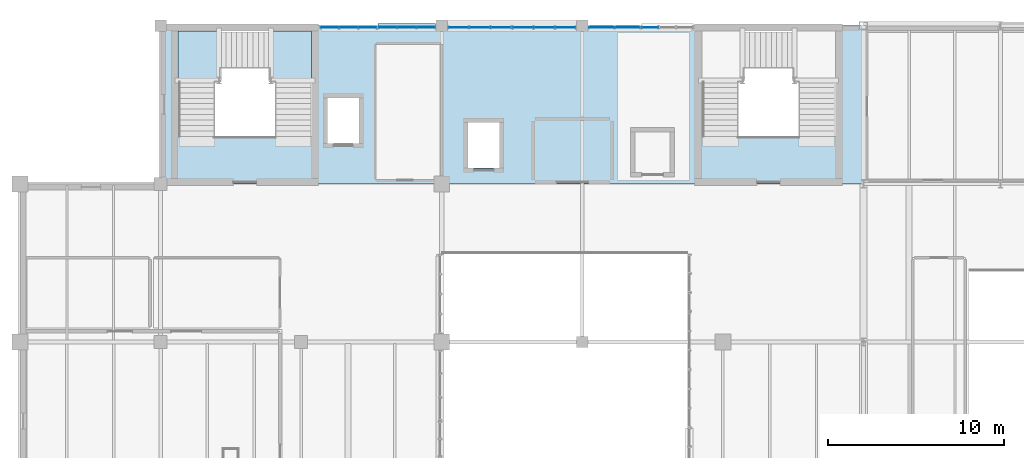
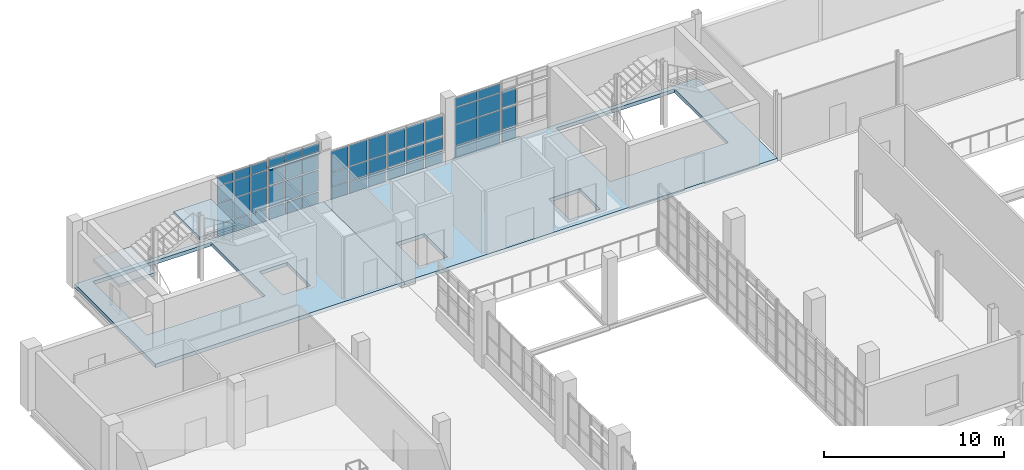
# One storey, part 59 of 85: 54 plates, 4 slabs, 7 elements without a shape of their own.
"""IFC4 building model written with IfcOpenShell, lengths in metres."""

from ifc_helpers import new_model, si_unit, derived_unit, direction, frame, origin, origin_2d, place, context, subcontext, project, spatial, polyline, rectangle, outline, extrude, material, layer, layer_set, type_object, element, aggregate, save


model = new_model("IFC4")

# Units and contexts
model_context = context("Model", 3, precision=1e-05, world=origin(), true_north=direction((0.0, 1.0)))
body_context = subcontext(model_context, "Body", "Model", "MODEL_VIEW")
ifc_project = project(units=[si_unit("LENGTHUNIT", "METRE"), si_unit("AREAUNIT", "SQUARE_METRE"), si_unit("VOLUMEUNIT", "CUBIC_METRE"), si_unit("PLANEANGLEUNIT", "RADIAN"), si_unit("MASSUNIT", "GRAM", prefix="KILO"), derived_unit("THERMALTRANSMITTANCEUNIT", [(si_unit("POWERUNIT", "WATT"), 1), (si_unit("LENGTHUNIT", "METRE"), -2), (si_unit("THERMODYNAMICTEMPERATUREUNIT", "KELVIN"), -1)])], contexts=[model_context])

# Site, building, storey
site_placement = place(None, origin())
site = spatial("IfcSite", under=ifc_project, at=site_placement, CompositionType="ELEMENT")
building_placement = place(site_placement, origin())
building = spatial("IfcBuilding", under=site, at=building_placement, Name="Nallur Shell Playhouse", CompositionType="ELEMENT")
storey_placement = place(building_placement, frame((0.0, 0.0, 19.800048828125)))
storey = spatial("IfcBuildingStorey", under=building, at=storey_placement, Name="L05", CompositionType="ELEMENT", Elevation=19.800048828125)

# Curtain wall, plates
ifc_material_1 = material(Name="Anodised Aluminium Double-Glazed Facade System", Category="aluminium")
ifc_layer_1 = layer(ifc_material_1, 0.1640625)
ifc_layer_set_1 = layer_set([ifc_layer_1], Name="Anodised Aluminium Double-Glazed Facade System")
curtain_wall_type_1 = type_object("IfcCurtainWallType", Name="CW-UNIT-01", PredefinedType="NOTDEFINED", material=ifc_layer_set_1)
curtain_wall_1_placement = place(storey_placement, origin())
curtain_wall_1 = element("IfcCurtainWall", 1, at=curtain_wall_1_placement, inside=storey, type_object=curtain_wall_type_1, Name="Unitised curtain wall CW-161 (L05)", PredefinedType="NOTDEFINED")
ifc_material_2 = material(Name="Solar-Control Low-E Laminated Insulating Glass", Category="glass")
ifc_layer_2 = layer(ifc_material_2, 0.02587890625)
ifc_layer_set_2 = layer_set([ifc_layer_2], Name="Solar-Control Low-E Laminated Insulating Glass")
plate_type_1 = type_object("IfcPlateType", Name="PT-GLZ-01", PredefinedType="CURTAIN_PANEL", material=ifc_layer_set_2)
plate_1_placement = place(storey_placement, frame((40.96337890625, 82.909912109375, 0.05712890625), z_axis=(0.0, 0.0, 1.0), x_axis=(1.0, 0.0, 0.0)))
plate_1 = element("IfcPlate", 2, at=plate_1_placement, type_object=plate_type_1, Name="CW-01 panel 1.1", PredefinedType="CURTAIN_PANEL", context=body_context, shape_type="SweptSolid", body=[
    extrude(rectangle(XDim=1.11669921875, YDim=0.02587890625, at=origin_2d()), origin(), (0.0, 0.0, 1.0), 0.818603515625),
])
plate_2_placement = place(storey_placement, frame((40.96337890625, 82.909912109375, 0.92431640625), z_axis=(0.0, 0.0, 1.0), x_axis=(1.0, 0.0, 0.0)))
plate_2 = element("IfcPlate", 3, at=plate_2_placement, type_object=plate_type_1, Name="CW-01 panel 1.2", PredefinedType="CURTAIN_PANEL", context=body_context, shape_type="SweptSolid", body=[
    extrude(rectangle(XDim=1.11669921875, YDim=0.02587890625, at=origin_2d()), origin(), (0.0, 0.0, 1.0), 0.93505859375),
])
plate_3_placement = place(storey_placement, frame((40.96337890625, 82.909912109375, 1.908447265625), z_axis=(0.0, 0.0, 1.0), x_axis=(1.0, 0.0, 0.0)))
plate_3 = element("IfcPlate", 4, at=plate_3_placement, type_object=plate_type_1, Name="CW-01 panel 1.3", PredefinedType="CURTAIN_PANEL", context=body_context, shape_type="SweptSolid", body=[
    extrude(rectangle(XDim=1.11669921875, YDim=0.02587890625, at=origin_2d()), origin(), (0.0, 0.0, 1.0), 1.3994140625),
])
plate_4_placement = place(storey_placement, frame((42.1640625, 82.909912109375, 0.05712890625), z_axis=(0.0, 0.0, 1.0), x_axis=(1.0, 0.0, 0.0)))
plate_4 = element("IfcPlate", 5, at=plate_4_placement, type_object=plate_type_1, Name="CW-01 panel 2.1", PredefinedType="CURTAIN_PANEL", context=body_context, shape_type="SweptSolid", body=[
    extrude(rectangle(XDim=1.15673828125, YDim=0.02587890625, at=origin_2d()), origin(), (0.0, 0.0, 1.0), 0.818603515625),
])
plate_5_placement = place(storey_placement, frame((42.1640625, 82.909912109375, 0.92431640625), z_axis=(0.0, 0.0, 1.0), x_axis=(1.0, 0.0, 0.0)))
plate_5 = element("IfcPlate", 6, at=plate_5_placement, type_object=plate_type_1, Name="CW-01 panel 2.2", PredefinedType="CURTAIN_PANEL", context=body_context, shape_type="SweptSolid", body=[
    extrude(rectangle(XDim=1.15673828125, YDim=0.02587890625, at=origin_2d()), origin(), (0.0, 0.0, 1.0), 0.93505859375),
])
plate_6_placement = place(storey_placement, frame((42.1640625, 82.909912109375, 1.908447265625), z_axis=(0.0, 0.0, 1.0), x_axis=(1.0, 0.0, 0.0)))
plate_6 = element("IfcPlate", 7, at=plate_6_placement, type_object=plate_type_1, Name="CW-01 panel 2.3", PredefinedType="CURTAIN_PANEL", context=body_context, shape_type="SweptSolid", body=[
    extrude(rectangle(XDim=1.15673828125, YDim=0.02587890625, at=origin_2d()), origin(), (0.0, 0.0, 1.0), 1.3994140625),
])
plate_7_placement = place(storey_placement, frame((43.36474609375, 82.909912109375, 0.05712890625), z_axis=(0.0, 0.0, 1.0), x_axis=(1.0, 0.0, 0.0)))
plate_7 = element("IfcPlate", 8, at=plate_7_placement, type_object=plate_type_1, Name="CW-01 panel 3.1", PredefinedType="CURTAIN_PANEL", context=body_context, shape_type="SweptSolid", body=[
    extrude(rectangle(XDim=1.11669921875, YDim=0.02587890625, at=origin_2d()), origin(), (0.0, 0.0, 1.0), 0.818603515625),
])
plate_8_placement = place(storey_placement, frame((43.36474609375, 82.909912109375, 0.92431640625), z_axis=(0.0, 0.0, 1.0), x_axis=(1.0, 0.0, 0.0)))
plate_8 = element("IfcPlate", 9, at=plate_8_placement, type_object=plate_type_1, Name="CW-01 panel 3.2", PredefinedType="CURTAIN_PANEL", context=body_context, shape_type="SweptSolid", body=[
    extrude(rectangle(XDim=1.11669921875, YDim=0.02587890625, at=origin_2d()), origin(), (0.0, 0.0, 1.0), 0.93505859375),
])
plate_9_placement = place(storey_placement, frame((43.36474609375, 82.909912109375, 1.908447265625), z_axis=(0.0, 0.0, 1.0), x_axis=(1.0, 0.0, 0.0)))
plate_9 = element("IfcPlate", 10, at=plate_9_placement, type_object=plate_type_1, Name="CW-01 panel 3.3", PredefinedType="CURTAIN_PANEL", context=body_context, shape_type="SweptSolid", body=[
    extrude(rectangle(XDim=1.11669921875, YDim=0.02587890625, at=origin_2d()), origin(), (0.0, 0.0, 1.0), 1.3994140625),
])
aggregate(curtain_wall_1, [plate_1, plate_2, plate_3, plate_4, plate_5, plate_6, plate_7, plate_8, plate_9])

ifc_layer_3 = layer(ifc_material_1, 0.16796875)
ifc_layer_set_3 = layer_set([ifc_layer_3], Name="Anodised Aluminium Double-Glazed Facade System")
curtain_wall_type_2 = type_object("IfcCurtainWallType", Name="CW-UNIT-02", PredefinedType="NOTDEFINED", material=ifc_layer_set_3)
curtain_wall_2_placement = place(storey_placement, origin())
curtain_wall_2 = element("IfcCurtainWall", 11, at=curtain_wall_2_placement, inside=storey, type_object=curtain_wall_type_2, Name="Unitised curtain wall CW-162 (L05)", PredefinedType="NOTDEFINED")
ifc_layer_4 = layer(ifc_material_2, 0.028076171875)
ifc_layer_set_4 = layer_set([ifc_layer_4], Name="Solar-Control Low-E Laminated Insulating Glass")
plate_type_2 = type_object("IfcPlateType", Name="PT-GLZ-02", PredefinedType="CURTAIN_PANEL", material=ifc_layer_set_4)
plate_10_placement = place(storey_placement, frame((44.634033203125, 82.909912109375, 0.091796875), z_axis=(0.0, 0.0, 1.0), x_axis=(1.0, 0.0, 0.0)))
plate_10 = element("IfcPlate", 12, at=plate_10_placement, type_object=plate_type_2, Name="CW-02 panel 1.1", PredefinedType="CURTAIN_PANEL", context=body_context, shape_type="SweptSolid", body=[
    extrude(rectangle(XDim=1.124267578125, YDim=0.028076171875, at=origin_2d()), origin(), (0.0, 0.0, 1.0), 0.76611328125),
])
plate_11_placement = place(storey_placement, frame((44.634033203125, 82.909912109375, 0.94189453125), z_axis=(0.0, 0.0, 1.0), x_axis=(1.0, 0.0, 0.0)))
plate_11 = element("IfcPlate", 13, at=plate_11_placement, type_object=plate_type_2, Name="CW-02 panel 1.2", PredefinedType="CURTAIN_PANEL", context=body_context, shape_type="SweptSolid", body=[
    extrude(rectangle(XDim=1.124267578125, YDim=0.028076171875, at=origin_2d()), origin(), (0.0, 0.0, 1.0), 0.888916015625),
])
plate_12_placement = place(storey_placement, frame((44.634033203125, 82.909912109375, 1.9150390625), z_axis=(0.0, 0.0, 1.0), x_axis=(1.0, 0.0, 0.0)))
plate_12 = element("IfcPlate", 14, at=plate_12_placement, type_object=plate_type_2, Name="CW-02 panel 1.3", PredefinedType="CURTAIN_PANEL", context=body_context, shape_type="SweptSolid", body=[
    extrude(rectangle(XDim=1.124267578125, YDim=0.028076171875, at=origin_2d()), origin(), (0.0, 0.0, 1.0), 1.337890625),
])
plate_13_placement = place(storey_placement, frame((45.8359375, 82.909912109375, 0.091796875), z_axis=(0.0, 0.0, 1.0), x_axis=(1.0, 0.0, 0.0)))
plate_13 = element("IfcPlate", 15, at=plate_13_placement, type_object=plate_type_2, Name="CW-02 panel 2.1", PredefinedType="CURTAIN_PANEL", context=body_context, shape_type="SweptSolid", body=[
    extrude(rectangle(XDim=1.16162109375, YDim=0.028076171875, at=origin_2d()), origin(), (0.0, 0.0, 1.0), 0.76611328125),
])
plate_14_placement = place(storey_placement, frame((45.8359375, 82.909912109375, 0.94189453125), z_axis=(0.0, 0.0, 1.0), x_axis=(1.0, 0.0, 0.0)))
plate_14 = element("IfcPlate", 16, at=plate_14_placement, type_object=plate_type_2, Name="CW-02 panel 2.2", PredefinedType="CURTAIN_PANEL", context=body_context, shape_type="SweptSolid", body=[
    extrude(rectangle(XDim=1.16162109375, YDim=0.028076171875, at=origin_2d()), origin(), (0.0, 0.0, 1.0), 0.888916015625),
])
plate_15_placement = place(storey_placement, frame((45.8359375, 82.909912109375, 1.9150390625), z_axis=(0.0, 0.0, 1.0), x_axis=(1.0, 0.0, 0.0)))
plate_15 = element("IfcPlate", 17, at=plate_15_placement, type_object=plate_type_2, Name="CW-02 panel 2.3", PredefinedType="CURTAIN_PANEL", context=body_context, shape_type="SweptSolid", body=[
    extrude(rectangle(XDim=1.16162109375, YDim=0.028076171875, at=origin_2d()), origin(), (0.0, 0.0, 1.0), 1.337890625),
])
plate_16_placement = place(storey_placement, frame((47.037841796875, 82.909912109375, 0.091796875), z_axis=(0.0, 0.0, 1.0), x_axis=(1.0, 0.0, 0.0)))
plate_16 = element("IfcPlate", 18, at=plate_16_placement, type_object=plate_type_2, Name="CW-02 panel 3.1", PredefinedType="CURTAIN_PANEL", context=body_context, shape_type="SweptSolid", body=[
    extrude(rectangle(XDim=1.124267578125, YDim=0.028076171875, at=origin_2d()), origin(), (0.0, 0.0, 1.0), 0.76611328125),
])
plate_17_placement = place(storey_placement, frame((47.037841796875, 82.909912109375, 0.94189453125), z_axis=(0.0, 0.0, 1.0), x_axis=(1.0, 0.0, 0.0)))
plate_17 = element("IfcPlate", 19, at=plate_17_placement, type_object=plate_type_2, Name="CW-02 panel 3.2", PredefinedType="CURTAIN_PANEL", context=body_context, shape_type="SweptSolid", body=[
    extrude(rectangle(XDim=1.124267578125, YDim=0.028076171875, at=origin_2d()), origin(), (0.0, 0.0, 1.0), 0.888916015625),
])
plate_18_placement = place(storey_placement, frame((47.037841796875, 82.909912109375, 1.9150390625), z_axis=(0.0, 0.0, 1.0), x_axis=(1.0, 0.0, 0.0)))
plate_18 = element("IfcPlate", 20, at=plate_18_placement, type_object=plate_type_2, Name="CW-02 panel 3.3", PredefinedType="CURTAIN_PANEL", context=body_context, shape_type="SweptSolid", body=[
    extrude(rectangle(XDim=1.124267578125, YDim=0.028076171875, at=origin_2d()), origin(), (0.0, 0.0, 1.0), 1.337890625),
])
aggregate(curtain_wall_2, [plate_10, plate_11, plate_12, plate_13, plate_14, plate_15, plate_16, plate_17, plate_18])

ifc_layer_5 = layer(ifc_material_1, 0.172119140625)
ifc_layer_set_5 = layer_set([ifc_layer_5], Name="Anodised Aluminium Double-Glazed Facade System")
curtain_wall_type_3 = type_object("IfcCurtainWallType", Name="CW-UNIT-03", PredefinedType="NOTDEFINED", material=ifc_layer_set_5)
curtain_wall_3_placement = place(storey_placement, origin())
curtain_wall_3 = element("IfcCurtainWall", 21, at=curtain_wall_3_placement, inside=storey, type_object=curtain_wall_type_3, Name="Unitised curtain wall CW-163 (L05)", PredefinedType="NOTDEFINED")
ifc_layer_6 = layer(ifc_material_2, 0.030029296875)
ifc_layer_set_6 = layer_set([ifc_layer_6], Name="Solar-Control Low-E Laminated Insulating Glass")
plate_type_3 = type_object("IfcPlateType", Name="PT-GLZ-03", PredefinedType="CURTAIN_PANEL", material=ifc_layer_set_6)
plate_19_placement = place(storey_placement, frame((49.10009765625, 82.909912109375, 0.05712890625), z_axis=(0.0, 0.0, 1.0), x_axis=(1.0, 0.0, 0.0)))
plate_19 = element("IfcPlate", 22, at=plate_19_placement, type_object=plate_type_3, Name="CW-03 panel 1.1", PredefinedType="CURTAIN_PANEL", context=body_context, shape_type="SweptSolid", body=[
    extrude(rectangle(XDim=1.420166015625, YDim=0.030029296875, at=origin_2d()), origin(), (0.0, 0.0, 1.0), 0.818603515625),
])
plate_20_placement = place(storey_placement, frame((49.10009765625, 82.909912109375, 0.924560546875), z_axis=(0.0, 0.0, 1.0), x_axis=(1.0, 0.0, 0.0)))
plate_20 = element("IfcPlate", 23, at=plate_20_placement, type_object=plate_type_3, Name="CW-03 panel 1.2", PredefinedType="CURTAIN_PANEL", context=body_context, shape_type="SweptSolid", body=[
    extrude(rectangle(XDim=1.420166015625, YDim=0.030029296875, at=origin_2d()), origin(), (0.0, 0.0, 1.0), 1.39697265625),
])
plate_21_placement = place(storey_placement, frame((49.10009765625, 82.909912109375, 2.37060546875), z_axis=(0.0, 0.0, 1.0), x_axis=(1.0, 0.0, 0.0)))
plate_21 = element("IfcPlate", 24, at=plate_21_placement, type_object=plate_type_3, Name="CW-03 panel 1.3", PredefinedType="CURTAIN_PANEL", context=body_context, shape_type="SweptSolid", body=[
    extrude(rectangle(XDim=1.420166015625, YDim=0.030029296875, at=origin_2d()), origin(), (0.0, 0.0, 1.0), 1.114990234375),
])
plate_22_placement = place(storey_placement, frame((49.10009765625, 82.909912109375, 3.53466796875), z_axis=(0.0, 0.0, 1.0), x_axis=(1.0, 0.0, 0.0)))
plate_22 = element("IfcPlate", 25, at=plate_22_placement, type_object=plate_type_3, Name="CW-03 panel 1.4", PredefinedType="CURTAIN_PANEL", context=body_context, shape_type="SweptSolid", body=[
    extrude(rectangle(XDim=1.420166015625, YDim=0.030029296875, at=origin_2d()), origin(), (0.0, 0.0, 1.0), 0.598388671875),
])
plate_23_placement = place(storey_placement, frame((50.5693359375, 82.909912109375, 0.05712890625), z_axis=(0.0, 0.0, 1.0), x_axis=(1.0, 0.0, 0.0)))
plate_23 = element("IfcPlate", 26, at=plate_23_placement, type_object=plate_type_3, Name="CW-03 panel 2.1", PredefinedType="CURTAIN_PANEL", context=body_context, shape_type="SweptSolid", body=[
    extrude(rectangle(XDim=1.420166015625, YDim=0.030029296875, at=origin_2d()), origin(), (0.0, 0.0, 1.0), 0.818603515625),
])
plate_24_placement = place(storey_placement, frame((50.5693359375, 82.909912109375, 0.924560546875), z_axis=(0.0, 0.0, 1.0), x_axis=(1.0, 0.0, 0.0)))
plate_24 = element("IfcPlate", 27, at=plate_24_placement, type_object=plate_type_3, Name="CW-03 panel 2.2", PredefinedType="CURTAIN_PANEL", context=body_context, shape_type="SweptSolid", body=[
    extrude(rectangle(XDim=1.420166015625, YDim=0.030029296875, at=origin_2d()), origin(), (0.0, 0.0, 1.0), 1.39697265625),
])
plate_25_placement = place(storey_placement, frame((50.5693359375, 82.909912109375, 2.37060546875), z_axis=(0.0, 0.0, 1.0), x_axis=(1.0, 0.0, 0.0)))
plate_25 = element("IfcPlate", 28, at=plate_25_placement, type_object=plate_type_3, Name="CW-03 panel 2.3", PredefinedType="CURTAIN_PANEL", context=body_context, shape_type="SweptSolid", body=[
    extrude(rectangle(XDim=1.420166015625, YDim=0.030029296875, at=origin_2d()), origin(), (0.0, 0.0, 1.0), 1.114990234375),
])
plate_26_placement = place(storey_placement, frame((50.5693359375, 82.909912109375, 3.53466796875), z_axis=(0.0, 0.0, 1.0), x_axis=(1.0, 0.0, 0.0)))
plate_26 = element("IfcPlate", 29, at=plate_26_placement, type_object=plate_type_3, Name="CW-03 panel 2.4", PredefinedType="CURTAIN_PANEL", context=body_context, shape_type="SweptSolid", body=[
    extrude(rectangle(XDim=1.420166015625, YDim=0.030029296875, at=origin_2d()), origin(), (0.0, 0.0, 1.0), 0.598388671875),
])
aggregate(curtain_wall_3, [plate_19, plate_20, plate_21, plate_22, plate_23, plate_24, plate_25, plate_26])

ifc_layer_7 = layer(ifc_material_1, 0.176025390625)
ifc_layer_set_7 = layer_set([ifc_layer_7], Name="Anodised Aluminium Double-Glazed Facade System")
curtain_wall_type_4 = type_object("IfcCurtainWallType", Name="CW-UNIT-04", PredefinedType="NOTDEFINED", material=ifc_layer_set_7)
curtain_wall_4_placement = place(storey_placement, origin())
curtain_wall_4 = element("IfcCurtainWall", 30, at=curtain_wall_4_placement, inside=storey, type_object=curtain_wall_type_4, Name="Unitised curtain wall CW-164 (L05)", PredefinedType="NOTDEFINED")
ifc_layer_8 = layer(ifc_material_2, 0.031982421875)
ifc_layer_set_8 = layer_set([ifc_layer_8], Name="Solar-Control Low-E Laminated Insulating Glass")
plate_type_4 = type_object("IfcPlateType", Name="PT-GLZ-04", PredefinedType="CURTAIN_PANEL", material=ifc_layer_set_8)
plate_27_placement = place(storey_placement, frame((51.8671875, 82.909912109375, 0.091796875), z_axis=(0.0, 0.0, 1.0), x_axis=(1.0, 0.0, 0.0)))
plate_27 = element("IfcPlate", 31, at=plate_27_placement, type_object=plate_type_4, Name="CW-04 panel 1.1", PredefinedType="CURTAIN_PANEL", context=body_context, shape_type="SweptSolid", body=[
    extrude(rectangle(XDim=0.897216796875, YDim=0.031982421875, at=origin_2d()), origin(), (0.0, 0.0, 1.0), 0.76611328125),
])
plate_28_placement = place(storey_placement, frame((51.8671875, 82.909912109375, 0.94189453125), z_axis=(0.0, 0.0, 1.0), x_axis=(1.0, 0.0, 0.0)))
plate_28 = element("IfcPlate", 32, at=plate_28_placement, type_object=plate_type_4, Name="CW-04 panel 1.2", PredefinedType="CURTAIN_PANEL", context=body_context, shape_type="SweptSolid", body=[
    extrude(rectangle(XDim=0.897216796875, YDim=0.031982421875, at=origin_2d()), origin(), (0.0, 0.0, 1.0), 1.39599609375),
])
plate_29_placement = place(storey_placement, frame((51.8671875, 82.909912109375, 2.421875), z_axis=(0.0, 0.0, 1.0), x_axis=(1.0, 0.0, 0.0)))
plate_29 = element("IfcPlate", 33, at=plate_29_placement, type_object=plate_type_4, Name="CW-04 panel 1.3", PredefinedType="CURTAIN_PANEL", context=body_context, shape_type="SweptSolid", body=[
    extrude(rectangle(XDim=0.897216796875, YDim=0.031982421875, at=origin_2d()), origin(), (0.0, 0.0, 1.0), 1.10595703125),
])
aggregate(curtain_wall_4, [plate_27, plate_28, plate_29])

ifc_layer_9 = layer(ifc_material_1, 0.1640625)
ifc_layer_set_9 = layer_set([ifc_layer_9], Name="Anodised Aluminium Double-Glazed Facade System")
curtain_wall_type_5 = type_object("IfcCurtainWallType", Name="CW-UNIT-31", PredefinedType="NOTDEFINED", material=ifc_layer_set_9)
curtain_wall_5_placement = place(storey_placement, origin())
curtain_wall_5 = element("IfcCurtainWall", 34, at=curtain_wall_5_placement, inside=storey, type_object=curtain_wall_type_5, Name="Unitised curtain wall CW-159 (L05)", PredefinedType="NOTDEFINED")
ifc_layer_10 = layer(ifc_material_2, 0.0380859375)
ifc_layer_set_10 = layer_set([ifc_layer_10], Name="Solar-Control Low-E Laminated Insulating Glass")
plate_type_5 = type_object("IfcPlateType", Name="PT-GLZ-07", PredefinedType="CURTAIN_PANEL", material=ifc_layer_set_10)
plate_30_placement = place(storey_placement, frame((33.619384765625, 82.909912109375, 0.05712890625), z_axis=(0.0, 0.0, 1.0), x_axis=(1.0, 0.0, 0.0)))
plate_30 = element("IfcPlate", 35, at=plate_30_placement, type_object=plate_type_5, Name="CW-31 panel 1.1", PredefinedType="CURTAIN_PANEL", context=body_context, shape_type="SweptSolid", body=[
    extrude(rectangle(XDim=1.004638671875, YDim=0.0380859375, at=origin_2d()), origin(), (0.0, 0.0, 1.0), 0.818603515625),
])
plate_31_placement = place(storey_placement, frame((33.619384765625, 82.909912109375, 0.924560546875), z_axis=(0.0, 0.0, 1.0), x_axis=(1.0, 0.0, 0.0)))
plate_31 = element("IfcPlate", 36, at=plate_31_placement, type_object=plate_type_5, Name="CW-31 panel 1.2", PredefinedType="CURTAIN_PANEL", context=body_context, shape_type="SweptSolid", body=[
    extrude(rectangle(XDim=1.004638671875, YDim=0.0380859375, at=origin_2d()), origin(), (0.0, 0.0, 1.0), 1.39697265625),
])
plate_32_placement = place(storey_placement, frame((33.619384765625, 82.909912109375, 2.37060546875), z_axis=(0.0, 0.0, 1.0), x_axis=(1.0, 0.0, 0.0)))
plate_32 = element("IfcPlate", 37, at=plate_32_placement, type_object=plate_type_5, Name="CW-31 panel 1.3", PredefinedType="CURTAIN_PANEL", context=body_context, shape_type="SweptSolid", body=[
    extrude(rectangle(XDim=1.004638671875, YDim=0.0380859375, at=origin_2d()), origin(), (0.0, 0.0, 1.0), 1.114990234375),
])
plate_33_placement = place(storey_placement, frame((33.619384765625, 82.909912109375, 3.53466796875), z_axis=(0.0, 0.0, 1.0), x_axis=(1.0, 0.0, 0.0)))
plate_33 = element("IfcPlate", 38, at=plate_33_placement, type_object=plate_type_5, Name="CW-31 panel 1.4", PredefinedType="CURTAIN_PANEL", context=body_context, shape_type="SweptSolid", body=[
    extrude(rectangle(XDim=1.004638671875, YDim=0.0380859375, at=origin_2d()), origin(), (0.0, 0.0, 1.0), 0.598388671875),
])
plate_34_placement = place(storey_placement, frame((34.70166015625, 82.909912109375, 0.05712890625), z_axis=(0.0, 0.0, 1.0), x_axis=(1.0, 0.0, 0.0)))
plate_34 = element("IfcPlate", 39, at=plate_34_placement, type_object=plate_type_5, Name="CW-31 panel 2.1", PredefinedType="CURTAIN_PANEL", context=body_context, shape_type="SweptSolid", body=[
    extrude(rectangle(XDim=1.042236328125, YDim=0.0380859375, at=origin_2d()), origin(), (0.0, 0.0, 1.0), 0.818603515625),
])
plate_35_placement = place(storey_placement, frame((34.70166015625, 82.909912109375, 0.924560546875), z_axis=(0.0, 0.0, 1.0), x_axis=(1.0, 0.0, 0.0)))
plate_35 = element("IfcPlate", 40, at=plate_35_placement, type_object=plate_type_5, Name="CW-31 panel 2.2", PredefinedType="CURTAIN_PANEL", context=body_context, shape_type="SweptSolid", body=[
    extrude(rectangle(XDim=1.042236328125, YDim=0.0380859375, at=origin_2d()), origin(), (0.0, 0.0, 1.0), 1.39697265625),
])
plate_36_placement = place(storey_placement, frame((34.70166015625, 82.909912109375, 2.37060546875), z_axis=(0.0, 0.0, 1.0), x_axis=(1.0, 0.0, 0.0)))
plate_36 = element("IfcPlate", 41, at=plate_36_placement, type_object=plate_type_5, Name="CW-31 panel 2.3", PredefinedType="CURTAIN_PANEL", context=body_context, shape_type="SweptSolid", body=[
    extrude(rectangle(XDim=1.042236328125, YDim=0.0380859375, at=origin_2d()), origin(), (0.0, 0.0, 1.0), 1.114990234375),
])
plate_37_placement = place(storey_placement, frame((34.70166015625, 82.909912109375, 3.53466796875), z_axis=(0.0, 0.0, 1.0), x_axis=(1.0, 0.0, 0.0)))
plate_37 = element("IfcPlate", 42, at=plate_37_placement, type_object=plate_type_5, Name="CW-31 panel 2.4", PredefinedType="CURTAIN_PANEL", context=body_context, shape_type="SweptSolid", body=[
    extrude(rectangle(XDim=1.042236328125, YDim=0.0380859375, at=origin_2d()), origin(), (0.0, 0.0, 1.0), 0.598388671875),
])
plate_38_placement = place(storey_placement, frame((35.7841796875, 82.909912109375, 0.05712890625), z_axis=(0.0, 0.0, 1.0), x_axis=(1.0, 0.0, 0.0)))
plate_38 = element("IfcPlate", 43, at=plate_38_placement, type_object=plate_type_5, Name="CW-31 panel 3.1", PredefinedType="CURTAIN_PANEL", context=body_context, shape_type="SweptSolid", body=[
    extrude(rectangle(XDim=1.004638671875, YDim=0.0380859375, at=origin_2d()), origin(), (0.0, 0.0, 1.0), 0.818603515625),
])
plate_39_placement = place(storey_placement, frame((35.7841796875, 82.909912109375, 0.924560546875), z_axis=(0.0, 0.0, 1.0), x_axis=(1.0, 0.0, 0.0)))
plate_39 = element("IfcPlate", 44, at=plate_39_placement, type_object=plate_type_5, Name="CW-31 panel 3.2", PredefinedType="CURTAIN_PANEL", context=body_context, shape_type="SweptSolid", body=[
    extrude(rectangle(XDim=1.004638671875, YDim=0.0380859375, at=origin_2d()), origin(), (0.0, 0.0, 1.0), 1.39697265625),
])
plate_40_placement = place(storey_placement, frame((35.7841796875, 82.909912109375, 2.37060546875), z_axis=(0.0, 0.0, 1.0), x_axis=(1.0, 0.0, 0.0)))
plate_40 = element("IfcPlate", 45, at=plate_40_placement, type_object=plate_type_5, Name="CW-31 panel 3.3", PredefinedType="CURTAIN_PANEL", context=body_context, shape_type="SweptSolid", body=[
    extrude(rectangle(XDim=1.004638671875, YDim=0.0380859375, at=origin_2d()), origin(), (0.0, 0.0, 1.0), 1.114990234375),
])
plate_41_placement = place(storey_placement, frame((35.7841796875, 82.909912109375, 3.53466796875), z_axis=(0.0, 0.0, 1.0), x_axis=(1.0, 0.0, 0.0)))
plate_41 = element("IfcPlate", 46, at=plate_41_placement, type_object=plate_type_5, Name="CW-31 panel 3.4", PredefinedType="CURTAIN_PANEL", context=body_context, shape_type="SweptSolid", body=[
    extrude(rectangle(XDim=1.004638671875, YDim=0.0380859375, at=origin_2d()), origin(), (0.0, 0.0, 1.0), 0.598388671875),
])
aggregate(curtain_wall_5, [plate_30, plate_31, plate_32, plate_33, plate_34, plate_35, plate_36, plate_37, plate_38, plate_39, plate_40, plate_41])

ifc_layer_11 = layer(ifc_material_1, 0.16796875)
ifc_layer_set_11 = layer_set([ifc_layer_11], Name="Anodised Aluminium Double-Glazed Facade System")
curtain_wall_type_6 = type_object("IfcCurtainWallType", Name="CW-UNIT-32", PredefinedType="NOTDEFINED", material=ifc_layer_set_11)
curtain_wall_6_placement = place(storey_placement, origin())
curtain_wall_6 = element("IfcCurtainWall", 47, at=curtain_wall_6_placement, inside=storey, type_object=curtain_wall_type_6, Name="Unitised curtain wall CW-160 (L05)", PredefinedType="NOTDEFINED")
ifc_layer_12 = layer(ifc_material_2, 0.0400390625)
ifc_layer_set_12 = layer_set([ifc_layer_12], Name="Solar-Control Low-E Laminated Insulating Glass")
plate_type_6 = type_object("IfcPlateType", Name="PT-GLZ-08", PredefinedType="CURTAIN_PANEL", material=ifc_layer_set_12)
plate_42_placement = place(storey_placement, frame((36.930419921875, 82.909912109375, 0.091796875), z_axis=(0.0, 0.0, 1.0), x_axis=(1.0, 0.0, 0.0)))
plate_42 = element("IfcPlate", 48, at=plate_42_placement, type_object=plate_type_6, Name="CW-32 panel 1.1", PredefinedType="CURTAIN_PANEL", context=body_context, shape_type="SweptSolid", body=[
    extrude(rectangle(XDim=1.019775390625, YDim=0.0400390625, at=origin_2d()), origin(), (0.0, 0.0, 1.0), 0.76611328125),
])
plate_43_placement = place(storey_placement, frame((36.930419921875, 82.909912109375, 0.94189453125), z_axis=(0.0, 0.0, 1.0), x_axis=(1.0, 0.0, 0.0)))
plate_43 = element("IfcPlate", 49, at=plate_43_placement, type_object=plate_type_6, Name="CW-32 panel 1.2", PredefinedType="CURTAIN_PANEL", context=body_context, shape_type="SweptSolid", body=[
    extrude(rectangle(XDim=1.019775390625, YDim=0.0400390625, at=origin_2d()), origin(), (0.0, 0.0, 1.0), 1.39599609375),
])
plate_44_placement = place(storey_placement, frame((36.930419921875, 82.909912109375, 2.421875), z_axis=(0.0, 0.0, 1.0), x_axis=(1.0, 0.0, 0.0)))
plate_44 = element("IfcPlate", 50, at=plate_44_placement, type_object=plate_type_6, Name="CW-32 panel 1.3", PredefinedType="CURTAIN_PANEL", context=body_context, shape_type="SweptSolid", body=[
    extrude(rectangle(XDim=1.019775390625, YDim=0.0400390625, at=origin_2d()), origin(), (0.0, 0.0, 1.0), 1.10595703125),
])
plate_45_placement = place(storey_placement, frame((36.930419921875, 82.909912109375, 3.612060546875), z_axis=(0.0, 0.0, 1.0), x_axis=(1.0, 0.0, 0.0)))
plate_45 = element("IfcPlate", 51, at=plate_45_placement, type_object=plate_type_6, Name="CW-32 panel 1.4", PredefinedType="CURTAIN_PANEL", context=body_context, shape_type="SweptSolid", body=[
    extrude(rectangle(XDim=1.019775390625, YDim=0.0400390625, at=origin_2d()), origin(), (0.0, 0.0, 1.0), 0.5458984375),
])
plate_46_placement = place(storey_placement, frame((38.01513671875, 82.909912109375, 0.091796875), z_axis=(0.0, 0.0, 1.0), x_axis=(1.0, 0.0, 0.0)))
plate_46 = element("IfcPlate", 52, at=plate_46_placement, type_object=plate_type_6, Name="CW-32 panel 2.1", PredefinedType="CURTAIN_PANEL", context=body_context, shape_type="SweptSolid", body=[
    extrude(rectangle(XDim=1.05224609375, YDim=0.0400390625, at=origin_2d()), origin(), (0.0, 0.0, 1.0), 0.76611328125),
])
plate_47_placement = place(storey_placement, frame((38.01513671875, 82.909912109375, 0.94189453125), z_axis=(0.0, 0.0, 1.0), x_axis=(1.0, 0.0, 0.0)))
plate_47 = element("IfcPlate", 53, at=plate_47_placement, type_object=plate_type_6, Name="CW-32 panel 2.2", PredefinedType="CURTAIN_PANEL", context=body_context, shape_type="SweptSolid", body=[
    extrude(rectangle(XDim=1.05224609375, YDim=0.0400390625, at=origin_2d()), origin(), (0.0, 0.0, 1.0), 1.39599609375),
])
plate_48_placement = place(storey_placement, frame((38.01513671875, 82.909912109375, 2.421875), z_axis=(0.0, 0.0, 1.0), x_axis=(1.0, 0.0, 0.0)))
plate_48 = element("IfcPlate", 54, at=plate_48_placement, type_object=plate_type_6, Name="CW-32 panel 2.3", PredefinedType="CURTAIN_PANEL", context=body_context, shape_type="SweptSolid", body=[
    extrude(rectangle(XDim=1.05224609375, YDim=0.0400390625, at=origin_2d()), origin(), (0.0, 0.0, 1.0), 1.10595703125),
])
plate_49_placement = place(storey_placement, frame((38.01513671875, 82.909912109375, 3.612060546875), z_axis=(0.0, 0.0, 1.0), x_axis=(1.0, 0.0, 0.0)))
plate_49 = element("IfcPlate", 55, at=plate_49_placement, type_object=plate_type_6, Name="CW-32 panel 2.4", PredefinedType="CURTAIN_PANEL", context=body_context, shape_type="SweptSolid", body=[
    extrude(rectangle(XDim=1.05224609375, YDim=0.0400390625, at=origin_2d()), origin(), (0.0, 0.0, 1.0), 0.5458984375),
])
plate_50_placement = place(storey_placement, frame((39.10009765625, 82.909912109375, 0.091796875), z_axis=(0.0, 0.0, 1.0), x_axis=(1.0, 0.0, 0.0)))
plate_50 = element("IfcPlate", 56, at=plate_50_placement, type_object=plate_type_6, Name="CW-32 panel 3.1", PredefinedType="CURTAIN_PANEL", context=body_context, shape_type="SweptSolid", body=[
    extrude(rectangle(XDim=1.019775390625, YDim=0.0400390625, at=origin_2d()), origin(), (0.0, 0.0, 1.0), 0.76611328125),
])
plate_51_placement = place(storey_placement, frame((39.10009765625, 82.909912109375, 0.94189453125), z_axis=(0.0, 0.0, 1.0), x_axis=(1.0, 0.0, 0.0)))
plate_51 = element("IfcPlate", 57, at=plate_51_placement, type_object=plate_type_6, Name="CW-32 panel 3.2", PredefinedType="CURTAIN_PANEL", context=body_context, shape_type="SweptSolid", body=[
    extrude(rectangle(XDim=1.019775390625, YDim=0.0400390625, at=origin_2d()), origin(), (0.0, 0.0, 1.0), 1.39599609375),
])
plate_52_placement = place(storey_placement, frame((39.10009765625, 82.909912109375, 2.421875), z_axis=(0.0, 0.0, 1.0), x_axis=(1.0, 0.0, 0.0)))
plate_52 = element("IfcPlate", 58, at=plate_52_placement, type_object=plate_type_6, Name="CW-32 panel 3.3", PredefinedType="CURTAIN_PANEL", context=body_context, shape_type="SweptSolid", body=[
    extrude(rectangle(XDim=1.019775390625, YDim=0.0400390625, at=origin_2d()), origin(), (0.0, 0.0, 1.0), 1.10595703125),
])
plate_53_placement = place(storey_placement, frame((39.10009765625, 82.909912109375, 3.612060546875), z_axis=(0.0, 0.0, 1.0), x_axis=(1.0, 0.0, 0.0)))
plate_53 = element("IfcPlate", 59, at=plate_53_placement, type_object=plate_type_6, Name="CW-32 panel 3.4", PredefinedType="CURTAIN_PANEL", context=body_context, shape_type="SweptSolid", body=[
    extrude(rectangle(XDim=1.019775390625, YDim=0.0400390625, at=origin_2d()), origin(), (0.0, 0.0, 1.0), 0.5458984375),
])
aggregate(curtain_wall_6, [plate_42, plate_43, plate_44, plate_45, plate_46, plate_47, plate_48, plate_49, plate_50, plate_51, plate_52, plate_53])

# Plate
ifc_material_3 = material(Name="Terracotta & Gold-Anodised Monsoon Sunshade Blade", Category="masonry")
ifc_layer_13 = layer(ifc_material_3, 0.06005859375)
ifc_layer_set_13 = layer_set([ifc_layer_13], Name="Terracotta & Gold-Anodised Monsoon Sunshade Blade")
plate_type_7 = type_object("IfcPlateType", Name="PT-LOUVRE-04", PredefinedType="USERDEFINED", material=ifc_layer_set_13)
plate_54_placement = place(storey_placement, frame((38.015380859375, 82.909912109375, 3.5400390625), z_axis=(0.0, 0.0, 1.0), x_axis=(1.0, 0.0, 0.0)))
element("IfcPlate", 60, at=plate_54_placement, inside=storey, type_object=plate_type_7, Name="Monsoon sunshade louvre blade LV-040", ObjectType="SUNSHADE LOUVRE", PredefinedType="USERDEFINED", context=body_context, shape_type="SweptSolid", body=[
    extrude(rectangle(XDim=3.263916015625, YDim=0.419921875, at=origin_2d()), origin(), (0.0, 0.0, 1.0), 0.06005859375),
])

# Stair, slabs
ifc_material_4 = material(Name="Concrete M35", Category="concrete")
stair_type = type_object("IfcStairType", Name="ST-CORE-45", PredefinedType="THREE_QUARTER_TURN_STAIR", material=ifc_material_4)
stair_placement = place(storey_placement, origin())
stair = element("IfcStair", 61, at=stair_placement, inside=storey, type_object=stair_type, Name="Core JC-6 exit stair ST-06-L05 (L05 to L06)", PredefinedType="THREE_QUARTER_TURN_STAIR")
ifc_layer_14 = layer(ifc_material_4, 0.199951171875)
ifc_layer_set_14 = layer_set([ifc_layer_14], Name="Concrete M35")
slab_type_1 = type_object("IfcSlabType", Name="SL-LANDING-200", PredefinedType="LANDING", material=ifc_layer_set_14)
slab_1_placement = place(storey_placement, frame((0.0, 0.0, 1.346923828125)))
slab_1 = element("IfcSlab", 62, at=slab_1_placement, type_object=slab_type_1, Name="ST-45 landing 1", PredefinedType="LANDING", context=body_context, shape_type="SweptSolid", body=[
    extrude(outline(polyline([(25.0, 79.800048828125), (27.405029296875, 79.800048828125), (27.405029296875, 82.699951171875), (25.0, 82.699951171875), (25.0, 79.800048828125)])), origin(), (0.0, 0.0, 1.0), 0.199951171875),
])
slab_2_placement = place(storey_placement, frame((0.0, 0.0, 2.753173828125)))
slab_2 = element("IfcSlab", 63, at=slab_2_placement, type_object=slab_type_1, Name="ST-45 landing 2", PredefinedType="LANDING", context=body_context, shape_type="SweptSolid", body=[
    extrude(outline(polyline([(30.195068359375, 79.800048828125), (32.60009765625, 79.800048828125), (32.60009765625, 82.699951171875), (30.195068359375, 82.699951171875), (30.195068359375, 79.800048828125)])), origin(), (0.0, 0.0, 1.0), 0.199951171875),
])
aggregate(stair, [slab_1, slab_2])

# Slabs
ifc_material_5 = material(Name="Concrete M30", Category="concrete")
ifc_layer_15 = layer(ifc_material_5, 0.25)
ifc_layer_set_15 = layer_set([ifc_layer_15], Name="Concrete M30")
slab_type_2 = type_object("IfcSlabType", Name="SL-UPPER-250", PredefinedType="FLOOR", material=ifc_layer_set_15)
slab_3_placement = place(storey_placement, frame((0.0, 0.0, -0.25)))
element("IfcSlab", 64, at=slab_3_placement, inside=storey, type_object=slab_type_2, Name="L05 structural floor slab panel 04", PredefinedType="FLOOR", context=body_context, shape_type="SweptSolid", body=[
    extrude(outline(polyline([(24.0, 83.0), (40.0, 83.0), (40.0, 74.0), (24.0, 74.0), (24.0, 83.0)]), holes=[polyline([(33.5, 78.89990234375), (33.5, 76.300048828125), (35.300048828125, 76.300048828125), (35.300048828125, 78.89990234375), (33.5, 78.89990234375)]), polyline([(32.60009765625, 82.699951171875), (25.0, 82.699951171875), (25.0, 76.699951171875), (32.60009765625, 76.699951171875), (32.60009765625, 82.699951171875)])]), origin(), (0.0, 0.0, 1.0), 0.25),
])
slab_4_placement = place(storey_placement, frame((0.0, 0.0, -0.25)))
element("IfcSlab", 65, at=slab_4_placement, inside=storey, type_object=slab_type_2, Name="L05 structural floor slab panel 06", PredefinedType="FLOOR", context=body_context, shape_type="SweptSolid", body=[
    extrude(outline(polyline([(64.0, 83.0), (64.0, 74.0), (40.0, 74.0), (40.0, 83.0), (64.0, 83.0)]), holes=[polyline([(51.0, 76.949951171875), (51.0, 74.64990234375), (53.0, 74.64990234375), (53.0, 76.949951171875), (51.0, 76.949951171875)]), polyline([(41.5, 77.5), (41.5, 74.89990234375), (43.300048828125, 74.89990234375), (43.300048828125, 77.5), (41.5, 77.5)]), polyline([(62.39990234375, 82.699951171875), (54.800048828125, 82.699951171875), (54.800048828125, 76.699951171875), (62.39990234375, 76.699951171875), (62.39990234375, 82.699951171875)])]), origin(), (0.0, 0.0, 1.0), 0.25),
])

save(model, "model.ifc")
